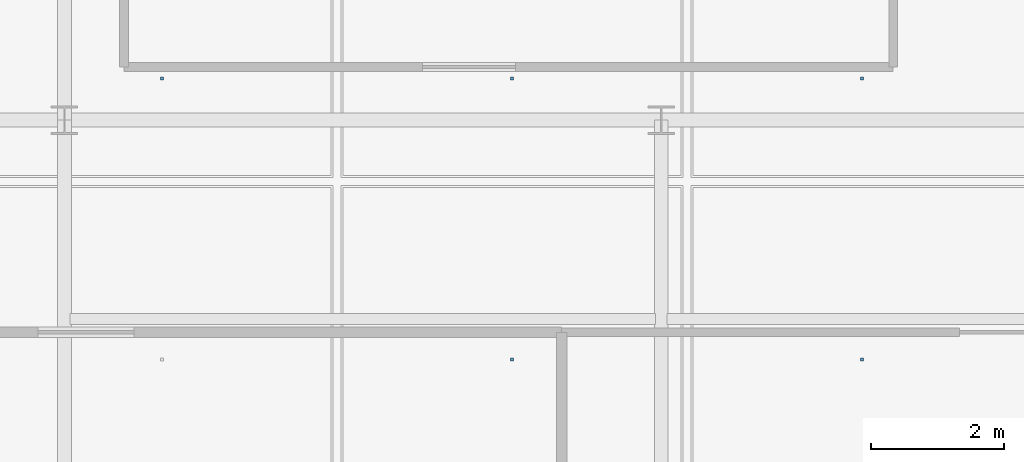
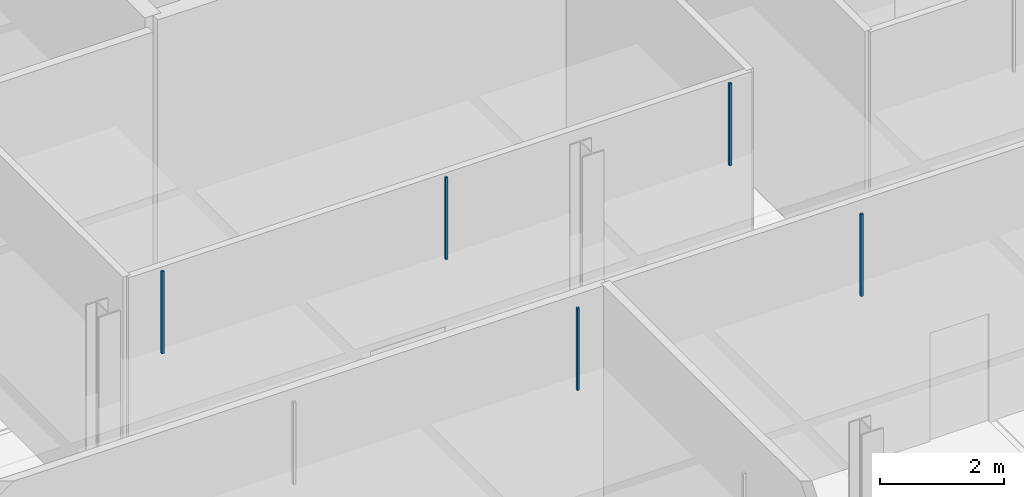
# One storey, part 157 of 180: 5 discrete accessories.
"""IFC4 building model written with IfcOpenShell, lengths in metres."""

from ifc_helpers import new_model, si_unit, direction, frame, origin, origin_2d, place, context, subcontext, project, spatial, rectangle, extrude, material, type_object, element, save


model = new_model("IFC4")

# Units and contexts
model_context = context("Model", 3, precision=1e-05, world=origin(), true_north=direction((0.0, 1.0)))
body_context = subcontext(model_context, "Body", "Model", "MODEL_VIEW")
ifc_project = project(units=[si_unit("LENGTHUNIT", "METRE"), si_unit("AREAUNIT", "SQUARE_METRE"), si_unit("VOLUMEUNIT", "CUBIC_METRE"), si_unit("PLANEANGLEUNIT", "RADIAN"), si_unit("MASSUNIT", "GRAM", prefix="KILO"), si_unit("THERMODYNAMICTEMPERATUREUNIT", "KELVIN"), si_unit("POWERUNIT", "WATT")], contexts=[model_context])

# Site, building, storey
site_placement = place(None, origin())
site = spatial("IfcSite", under=ifc_project, at=site_placement, CompositionType="ELEMENT")
building_placement = place(site_placement, origin())
building = spatial("IfcBuilding", under=site, at=building_placement, Name="Tallowbark Science Centre", CompositionType="ELEMENT")
storey_placement = place(building_placement, origin())
storey = spatial("IfcBuildingStorey", under=building, at=storey_placement, Name="L00", CompositionType="ELEMENT", Elevation=0.0)

# Discrete accessories
ifc_material = material(Name="Galvanised Steel Grade C350L0 (350 MPa)", Category="steel")
discrete_accessory_type = type_object("IfcDiscreteAccessoryType", Name="ACC-CLG-HNG", PredefinedType="BRACKET", material=ifc_material)
for number, where, z_axis, x_axis, name in (
    (1, (131.97216796875, 90.630615234375, 3.60595703125), (0.0, 0.0, 1.0), (1.0, 0.0, 0.0), "Ceiling Hanger Bracket L00-430"),
    (2, (137.25, 86.392822265625, 3.60595703125), (0.0, 0.0, 1.0), (1.0, 0.0, 0.0), "Ceiling Hanger Bracket L00-436"),
    (3, (137.25, 90.630615234375, 3.60595703125), (0.0, 0.0, 1.0), (1.0, 0.0, 0.0), "Ceiling Hanger Bracket L00-437"),
    (4, (142.52783203125, 86.392822265625, 3.60595703125), (0.0, 0.0, 1.0), (1.0, 0.0, 0.0), "Ceiling Hanger Bracket L00-441"),
    (5, (142.52783203125, 90.630615234375, 3.60595703125), (0.0, 0.0, 1.0), (1.0, 0.0, 0.0), "Ceiling Hanger Bracket L00-442"),
):
    element("IfcDiscreteAccessory", number, at=place(storey_placement, frame(where, z_axis=z_axis, x_axis=x_axis)), inside=storey, type_object=discrete_accessory_type, Name=name, PredefinedType="BRACKET", context=body_context, shape_type="SweptSolid", body=[
        extrude(rectangle(XDim=0.044921875, YDim=0.044921875, at=origin_2d()), origin(), (0.0, 0.0, 1.0), 1.616943359375),
    ])

save(model, "model.ifc")
